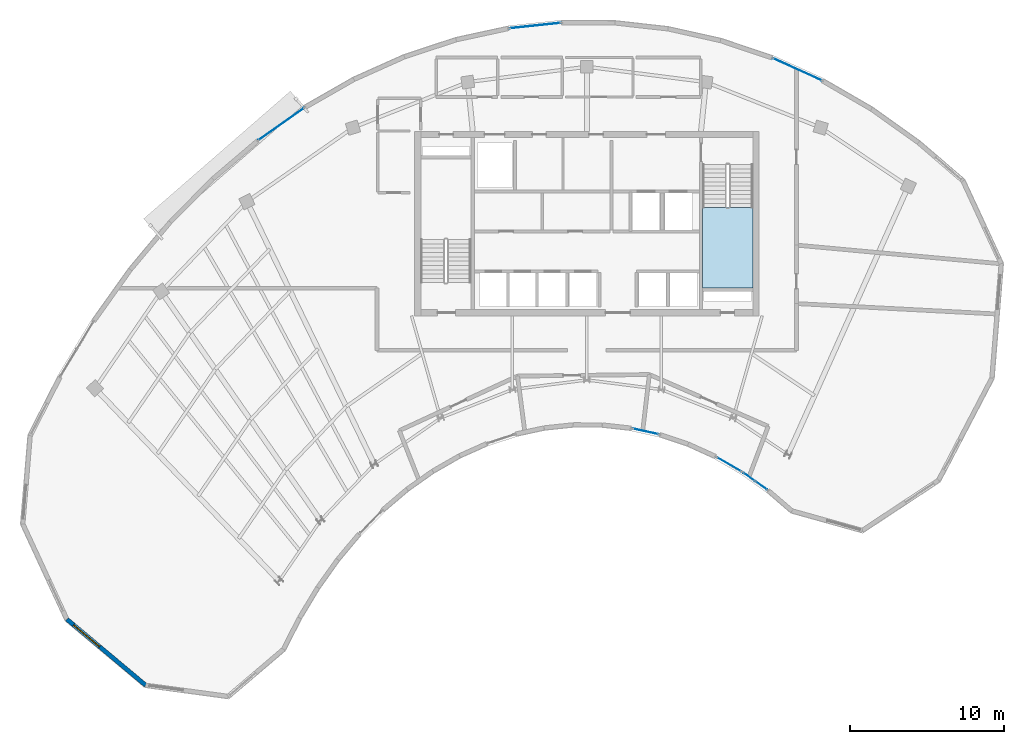
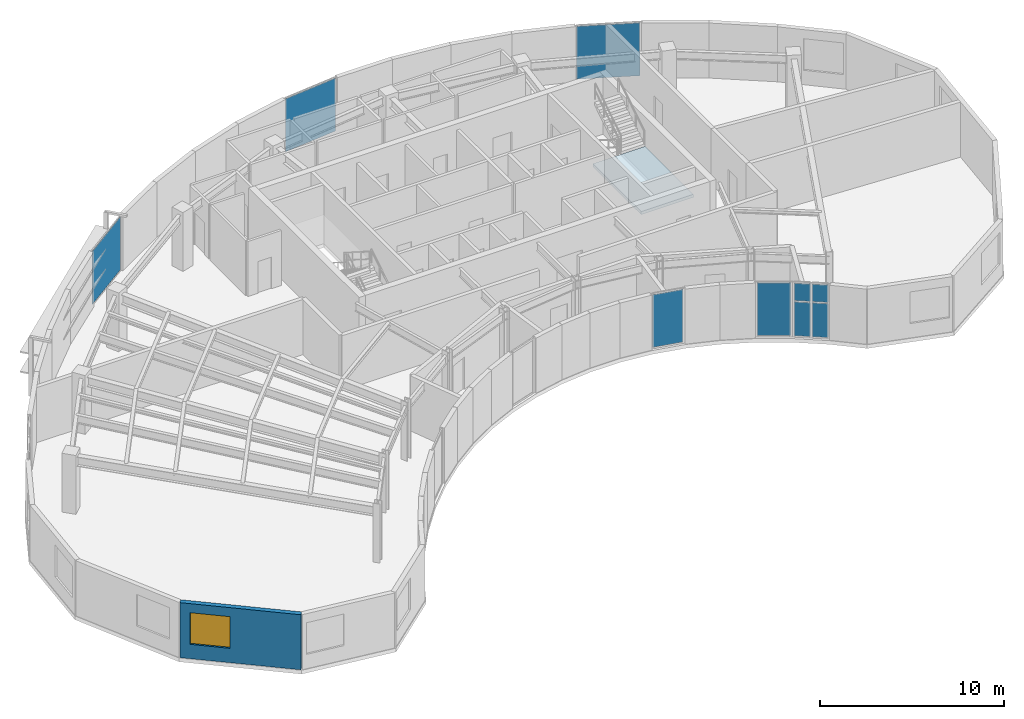
# One storey, part 7 of 12: 9 plates, 1 slab, 1 wall, 1 window, 1 opening, 7 elements without a shape of their own.
"""IFC4 building model written with IfcOpenShell, lengths in metres."""

from ifc_helpers import new_model, si_unit, direction, frame, frame_2d, origin, origin_2d, place, context, subcontext, project, spatial, polyline, rectangle, outline, extrude, source, transform, mapped, material, layer, layer_set, type_object, type_shapes, element, fill, aggregate, save


model = new_model("IFC4")

# Units and contexts
model_context = context("Model", 3, precision=1e-05, world=origin(), true_north=direction((0.0, 1.0)))
body_context = subcontext(model_context, "Body", "Model", "MODEL_VIEW")
ifc_project = project(units=[si_unit("LENGTHUNIT", "METRE"), si_unit("AREAUNIT", "SQUARE_METRE"), si_unit("VOLUMEUNIT", "CUBIC_METRE"), si_unit("PLANEANGLEUNIT", "RADIAN"), si_unit("MASSUNIT", "GRAM", prefix="KILO")], contexts=[model_context])

# Site, building, storey
site_placement = place(None, origin())
site = spatial("IfcSite", under=ifc_project, at=site_placement, CompositionType="ELEMENT")
building_placement = place(site_placement, origin())
building = spatial("IfcBuilding", under=site, at=building_placement, Name="Breltana Convention Tower", CompositionType="ELEMENT")
storey_placement = place(building_placement, frame((0.0, 0.0, 267.89990234375)))
storey = spatial("IfcBuildingStorey", under=building, at=storey_placement, Name="L65", CompositionType="ELEMENT", Elevation=267.89990234375)

# Stair, slab
ifc_material_1 = material(Name="Concrete C40/50", Category="concrete")
stair_type = type_object("IfcStairType", Name="ST-DOG-1560-R177", PredefinedType="HALF_TURN_STAIR", material=ifc_material_1)
stair_placement = place(storey_placement, origin())
stair = element("IfcStair", 1, at=stair_placement, inside=storey, type_object=stair_type, Name="L65 Protected Core Exit Stair ST-2", PredefinedType="HALF_TURN_STAIR")
ifc_layer_1 = layer(ifc_material_1, 0.199951171875, Name="Concrete C40/50")
ifc_layer_set_1 = layer_set([ifc_layer_1], Name="Concrete C40/50")
slab_type = type_object("IfcSlabType", Name="SL-STAIR-LANDING-200", PredefinedType="LANDING", material=ifc_layer_set_1)
slab_placement = place(storey_placement, frame((0.0, 0.0, 1.75)))
slab = element("IfcSlab", 2, at=slab_placement, type_object=slab_type, Name="ST-2 landing 1", PredefinedType="LANDING", context=body_context, shape_type="SweptSolid", body=[
    extrude(outline(polyline([(55.530029296875, 67.239990234375), (55.530029296875, 62.0), (58.800048828125, 62.0), (58.800048828125, 67.239990234375), (55.530029296875, 67.239990234375)])), origin(), (0.0, 0.0, 1.0), 0.2001953125),
])
aggregate(stair, [slab])

# Curtain wall, plates
ifc_material_2 = material(Name="Aluminium Anodised Bronze Frame", Category="aluminium")
ifc_layer_2 = layer(ifc_material_2, 0.18994140625, Name="Aluminium Anodised Bronze Frame")
ifc_layer_set_2 = layer_set([ifc_layer_2], Name="Aluminium Anodised Bronze Frame")
curtain_wall_type_1 = type_object("IfcCurtainWallType", Name="CW-SYS-1", PredefinedType="NOTDEFINED", material=ifc_layer_set_2)
curtain_wall_1_placement = place(storey_placement, origin())
curtain_wall_1 = element("IfcCurtainWall", 3, at=curtain_wall_1_placement, inside=storey, type_object=curtain_wall_type_1, Name="L65 inner south-court glazing 1", PredefinedType="NOTDEFINED")
ifc_material_3 = material(Name="Glass Low-E Double Glazing", Category="glass")
ifc_layer_3 = layer(ifc_material_3, 0.028076171875, Name="Glass Low-E Double Glazing")
ifc_layer_set_3 = layer_set([ifc_layer_3], Name="Glass Low-E Double Glazing")
plate_type_1 = type_object("IfcPlateType", Name="CWP-IGU-28", PredefinedType="CURTAIN_PANEL", material=ifc_layer_set_3)
shared_shape_1 = source(origin(), body_context, "Body", "SweptSolid", [
    extrude(rectangle(XDim=0.89599609375, YDim=0.028076171875, at=origin_2d()), origin(), (0.0, 0.0, 1.0), 2.25244140625),
])
plate_1_placement = place(storey_placement, frame((59.3466796875, 49.1650390625, 0.080078125), z_axis=(0.0, 0.0, 1.0), x_axis=(-0.814148872575, 0.58065619198, 0.0)))
plate_1 = element("IfcPlate", 4, at=plate_1_placement, type_object=plate_type_1, Name="CW-01 panel 1.1", PredefinedType="CURTAIN_PANEL", context=body_context, shape_type="MappedRepresentation", body=[
    mapped(shared_shape_1, transform((0.0, 0.0, 0.0), scale=1.0)),
])
plate_2_placement = place(storey_placement, frame((58.552001953125, 49.731689453125, 0.080078125), z_axis=(0.0, 0.0, 1.0), x_axis=(-0.814148872575, 0.58065619198, 0.0)))
plate_2 = element("IfcPlate", 5, at=plate_2_placement, type_object=plate_type_1, Name="CW-01 panel 2.1", PredefinedType="CURTAIN_PANEL", context=body_context, shape_type="MappedRepresentation", body=[
    mapped(shared_shape_1, transform((0.0, 0.0, 0.0), scale=1.0)),
])
shared_shape_2 = source(origin(), body_context, "Body", "SweptSolid", [
    extrude(rectangle(XDim=0.89599609375, YDim=0.028076171875, at=origin_2d()), origin(), (0.0, 0.0, 1.0), 1.157470703125),
])
plate_3_placement = place(storey_placement, frame((59.3466796875, 49.1650390625, 2.41259765625), z_axis=(0.0, 0.0, 1.0), x_axis=(-0.814148872575, 0.58065619198, 0.0)))
plate_3 = element("IfcPlate", 6, at=plate_3_placement, type_object=plate_type_1, Name="CW-01 panel 1.2", PredefinedType="CURTAIN_PANEL", context=body_context, shape_type="MappedRepresentation", body=[
    mapped(shared_shape_2, transform((0.0, 0.0, 0.0), scale=1.0)),
])
plate_4_placement = place(storey_placement, frame((58.552001953125, 49.731689453125, 2.41259765625), z_axis=(0.0, 0.0, 1.0), x_axis=(-0.814148872575, 0.58065619198, 0.0)))
plate_4 = element("IfcPlate", 7, at=plate_4_placement, type_object=plate_type_1, Name="CW-01 panel 2.2", PredefinedType="CURTAIN_PANEL", context=body_context, shape_type="MappedRepresentation", body=[
    mapped(shared_shape_2, transform((0.0, 0.0, 0.0), scale=1.0)),
])
aggregate(curtain_wall_1, [plate_1, plate_3, plate_2, plate_4])

# Curtain wall, plate
curtain_wall_2_placement = place(storey_placement, origin())
curtain_wall_2 = element("IfcCurtainWall", 8, at=curtain_wall_2_placement, inside=storey, type_object=curtain_wall_type_1, Name="L65 inner south-court glazing 2", PredefinedType="NOTDEFINED")
shared_shape_3 = source(origin(), body_context, "Body", "SweptSolid", [
    extrude(rectangle(XDim=1.828125, YDim=0.028076171875, at=origin_2d()), origin(), (0.0, 0.0, 1.0), 3.489990234375),
])
plate_5_placement = place(storey_placement, frame((57.24755859375, 50.5458984375, 0.080078125), z_axis=(0.0, 0.0, 1.0), x_axis=(-0.865321810221, 0.501216684434, 0.0)))
plate_5 = element("IfcPlate", 9, at=plate_5_placement, type_object=plate_type_1, Name="CW-01 panel 1.1", PredefinedType="CURTAIN_PANEL", context=body_context, shape_type="MappedRepresentation", body=[
    mapped(shared_shape_3, transform((0.0, 0.0, 0.0), scale=1.0)),
])
aggregate(curtain_wall_2, [plate_5])

curtain_wall_3_placement = place(storey_placement, origin())
curtain_wall_3 = element("IfcCurtainWall", 10, at=curtain_wall_3_placement, inside=storey, type_object=curtain_wall_type_1, Name="L65 inner south-court glazing 3", PredefinedType="NOTDEFINED")
shared_shape_4 = source(origin(), body_context, "Body", "SweptSolid", [
    extrude(rectangle(XDim=1.734130859375, YDim=0.028076171875, at=origin_2d()), origin(), (0.0, 0.0, 1.0), 3.489990234375),
])
plate_6_placement = place(storey_placement, frame((51.81884765625, 52.686767578125, 0.080078125), z_axis=(0.0, 0.0, 1.0), x_axis=(-0.976149777842, 0.217098160332, 0.0)))
plate_6 = element("IfcPlate", 11, at=plate_6_placement, type_object=plate_type_1, Name="CW-01 panel 1.1", PredefinedType="CURTAIN_PANEL", context=body_context, shape_type="MappedRepresentation", body=[
    mapped(shared_shape_4, transform((0.0, 0.0, 0.0), scale=1.0)),
])
aggregate(curtain_wall_3, [plate_6])

ifc_layer_4 = layer(ifc_material_2, 0.22998046875, Name="Aluminium Anodised Bronze Frame")
ifc_layer_set_4 = layer_set([ifc_layer_4], Name="Aluminium Anodised Bronze Frame")
curtain_wall_type_2 = type_object("IfcCurtainWallType", Name="CW-SYS-5", PredefinedType="NOTDEFINED", material=ifc_layer_set_4)
curtain_wall_4_placement = place(storey_placement, origin())
curtain_wall_4 = element("IfcCurtainWall", 12, at=curtain_wall_4_placement, inside=storey, type_object=curtain_wall_type_2, Name="L65 outer double-skin inner glazing 2", PredefinedType="NOTDEFINED")
ifc_layer_5 = layer(ifc_material_3, 0.035888671875, Name="Glass Low-E Double Glazing")
ifc_layer_set_5 = layer_set([ifc_layer_5], Name="Glass Low-E Double Glazing")
plate_type_2 = type_object("IfcPlateType", Name="CWP-IGU-36", PredefinedType="CURTAIN_PANEL", material=ifc_layer_set_5)
shared_shape_5 = source(origin(), body_context, "Body", "SweptSolid", [
    extrude(rectangle(XDim=3.61279296875, YDim=0.035888671875, at=origin_2d()), origin(), (0.0, 0.0, 1.0), 3.510009765625),
])
plate_7_placement = place(storey_placement, frame((28.128662109375, 72.673583984375, 0.0703125), z_axis=(0.0, 0.0, 1.0), x_axis=(0.817009955402, 0.576623562452, 0.0)))
plate_7 = element("IfcPlate", 13, at=plate_7_placement, type_object=plate_type_2, Name="CW-05 panel 1.1", PredefinedType="CURTAIN_PANEL", context=body_context, shape_type="MappedRepresentation", body=[
    mapped(shared_shape_5, transform((0.0, 0.0, 0.0), scale=1.0)),
])
aggregate(curtain_wall_4, [plate_7])

curtain_wall_5_placement = place(storey_placement, origin())
curtain_wall_5 = element("IfcCurtainWall", 14, at=curtain_wall_5_placement, inside=storey, type_object=curtain_wall_type_2, Name="L65 outer double-skin inner glazing 3", PredefinedType="NOTDEFINED")
shared_shape_6 = source(origin(), body_context, "Body", "SweptSolid", [
    extrude(rectangle(XDim=3.329833984375, YDim=0.035888671875, at=origin_2d()), origin(), (0.0, 0.0, 1.0), 3.510009765625),
])
plate_8_placement = place(storey_placement, frame((44.63720703125, 79.08056640625, 0.0703125), z_axis=(0.0, 0.0, 1.0), x_axis=(0.994424782701, 0.105448335932, 0.0)))
plate_8 = element("IfcPlate", 15, at=plate_8_placement, type_object=plate_type_2, Name="CW-05 panel 1.1", PredefinedType="CURTAIN_PANEL", context=body_context, shape_type="MappedRepresentation", body=[
    mapped(shared_shape_6, transform((0.0, 0.0, 0.0), scale=1.0)),
])
aggregate(curtain_wall_5, [plate_8])

curtain_wall_6_placement = place(storey_placement, origin())
curtain_wall_6 = element("IfcCurtainWall", 16, at=curtain_wall_6_placement, inside=storey, type_object=curtain_wall_type_2, Name="L65 outer double-skin inner glazing 4", PredefinedType="NOTDEFINED")
shared_shape_7 = source(origin(), body_context, "Body", "SweptSolid", [
    extrude(rectangle(XDim=3.462646484375, YDim=0.035888671875, at=origin_2d()), origin(), (0.0, 0.0, 1.0), 3.510009765625),
])
plate_9_placement = place(storey_placement, frame((61.686279296875, 76.234619140625, 0.0703125), z_axis=(0.0, 0.0, 1.0), x_axis=(0.910487166611, -0.413537325324, 0.0)))
plate_9 = element("IfcPlate", 17, at=plate_9_placement, type_object=plate_type_2, Name="CW-05 panel 1.1", PredefinedType="CURTAIN_PANEL", context=body_context, shape_type="MappedRepresentation", body=[
    mapped(shared_shape_7, transform((0.0, 0.0, 0.0), scale=1.0)),
])
aggregate(curtain_wall_6, [plate_9])

# Wall, opening, window
ifc_material_4 = material(Name="Limestone Buff Insulated Wall", Category="masonry")
ifc_layer_6 = layer(ifc_material_4, 0.280029296875, Name="Limestone Buff Insulated Wall")
ifc_layer_set_6 = layer_set([ifc_layer_6], Name="Limestone Buff Insulated Wall")
wall_type = type_object("IfcWallType", Name="WL-EXT-NOSE-280", PredefinedType="SOLIDWALL", material=ifc_layer_set_6)
shared_shape_8 = source(origin(), body_context, "Body", "SweptSolid", [
    extrude(rectangle(XDim=6.67529296875, YDim=0.280029296875, at=frame_2d((3.337646484375, 0.0))), origin(), (0.0, 0.0, 1.0), 3.650146484375),
])
wall_placement = place(storey_placement, frame((19.30224609375, 36.1787109375, 0.0), z_axis=(0.0, 0.0, 1.0), x_axis=(-0.766726273546, 0.641974159491, 0.0)))
wall = element("IfcWall", 18, at=wall_placement, inside=storey, type_object=wall_type, Name="L65 curved limestone nose wall W4", PredefinedType="SOLIDWALL", context=body_context, shape_type="MappedRepresentation", body=[
    mapped(shared_shape_8, transform((0.0, 0.0, 0.0), scale=1.0)),
])
opening_placement = place(wall_placement, frame((3.906494140625, 0.0, 0.949951171875)))
opening = element("IfcOpeningElement", 19, at=opening_placement, cuts=wall, Name="Opening W-03", PredefinedType="OPENING", context=body_context, shape_type="SweptSolid", body=[
    extrude(rectangle(XDim=2.199951171875, YDim=2.10009765625, at=frame_2d((1.10009765625, 1.050048828125))), frame((0.0, 0.14990234375, 0.0), z_axis=(0.0, -1.0, 0.0), x_axis=(1.0, 0.0, 0.0)), (0.0, 0.0, 1.0), 0.300048828125),
])
ifc_material_5 = material(Name="Glass Low-E Insulated Window", Category="glass")
window_type = type_object("IfcWindowType", Name="WN-NOSE-2200X2100", PartitioningType="TRIPLE_PANEL_VERTICAL", PredefinedType="WINDOW", material=ifc_material_5)
shared_shape_9 = source(origin(), body_context, "Body", "SweptSolid", [
    extrude(rectangle(XDim=2.199951171875, YDim=2.10009765625, at=frame_2d((1.10009765625, 1.050048828125))), frame((0.0, 0.030029296875, 0.0), z_axis=(0.0, -1.0, 0.0), x_axis=(1.0, 0.0, 0.0)), (0.0, 0.0, 1.0), 0.06005859375),
])
type_shapes(window_type, [shared_shape_9])
window_placement = place(opening_placement, origin())
window = element("IfcWindow", 20, at=window_placement, inside=storey, type_object=window_type, Name="L65 nose window W4", OverallHeight=2.10009765625, OverallWidth=2.199951171875, PartitioningType="TRIPLE_PANEL_VERTICAL", PredefinedType="WINDOW", context=body_context, shape_type="MappedRepresentation", body=[
    mapped(shared_shape_9, transform((0.0, 0.0, 0.0), scale=1.0)),
])
fill(opening, window)

save(model, "model.ifc")
